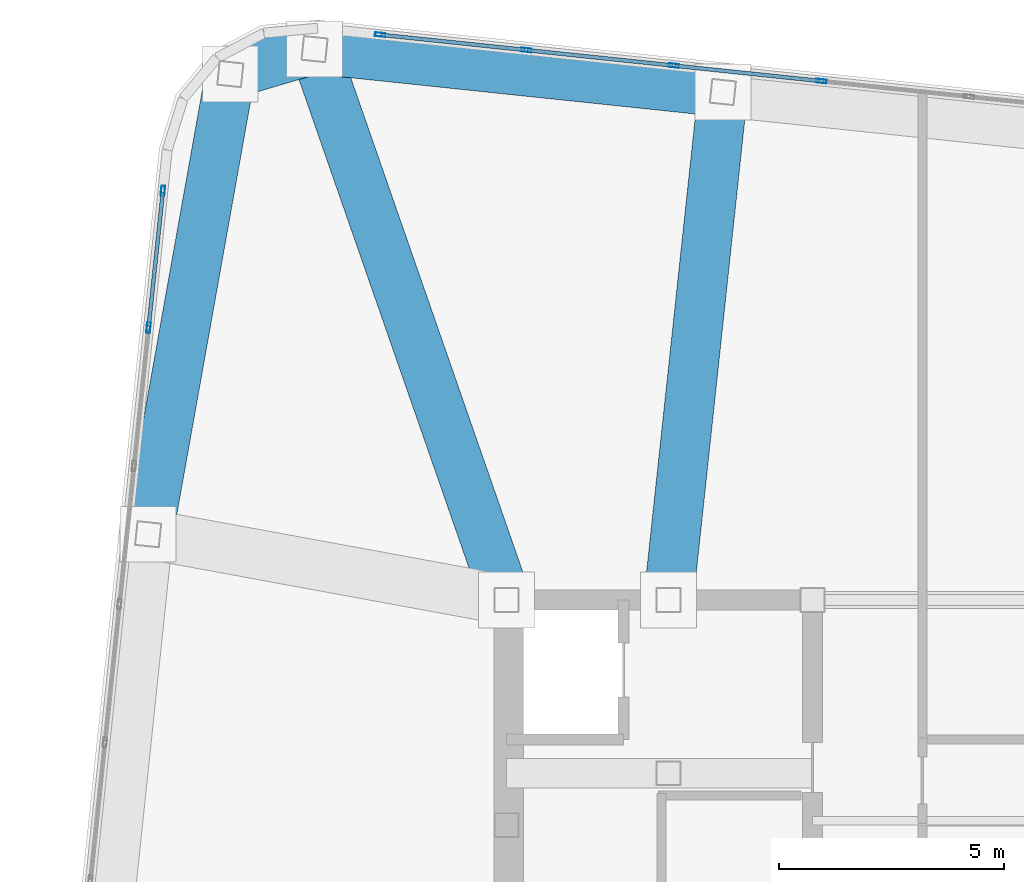
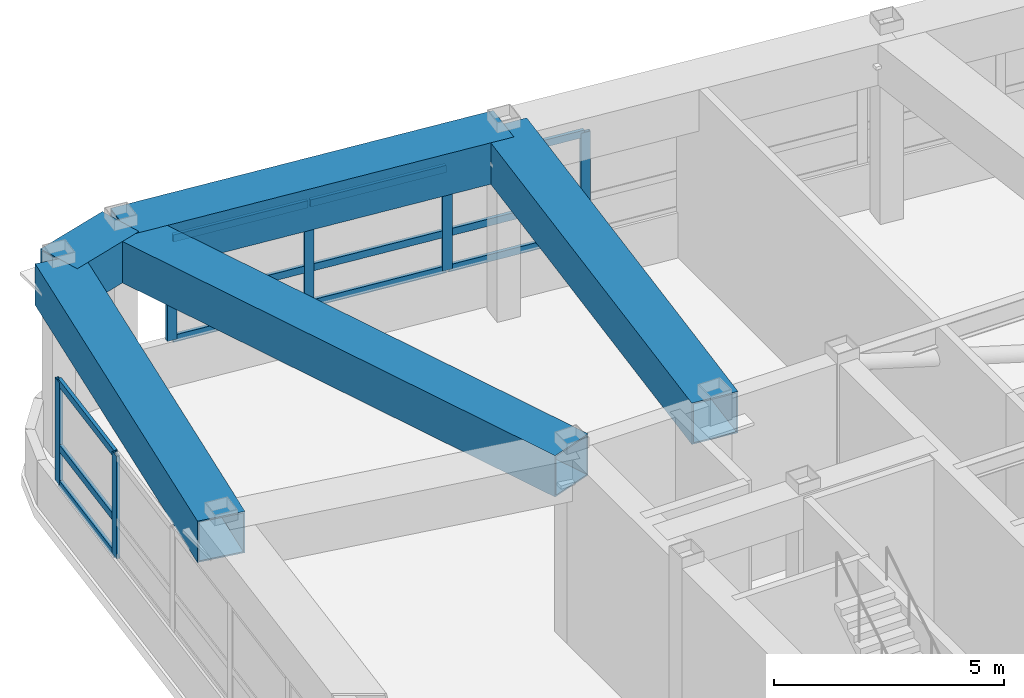
# One storey, part 14 of 23: 18 members, 5 beams, 2 elements without a shape of their own.
"""IFC4 building model written with IfcOpenShell, lengths in metres."""

from ifc_helpers import new_model, si_unit, direction, frame, origin, origin_2d, place, context, subcontext, project, spatial, hollow_rectangle, extrude, material, layer, layer_set, material_profile, profile_set, type_object, element, aggregate, save


model = new_model("IFC4")

# Units and contexts
model_context = context("Model", 3, precision=1e-05, world=origin(), true_north=direction((0.0, 1.0)))
body_context = subcontext(model_context, "Body", "Model", "MODEL_VIEW")
ifc_project = project(units=[si_unit("LENGTHUNIT", "METRE"), si_unit("AREAUNIT", "SQUARE_METRE"), si_unit("VOLUMEUNIT", "CUBIC_METRE"), si_unit("PLANEANGLEUNIT", "RADIAN"), si_unit("MASSUNIT", "GRAM", prefix="KILO")], contexts=[model_context])

# Site, building, storey
site_placement = place(None, origin())
site = spatial("IfcSite", under=ifc_project, at=site_placement, CompositionType="ELEMENT")
building_placement = place(site_placement, origin())
building = spatial("IfcBuilding", under=site, at=building_placement, Name="Voryun Gate Residences", CompositionType="ELEMENT")
storey_placement = place(building_placement, frame((0.0, 0.0, 316.0)))
storey = spatial("IfcBuildingStorey", under=building, at=storey_placement, Name="L78", CompositionType="ELEMENT", Elevation=316.0)

# Beams
ifc_material_1 = material(Name="Steel SM420", Category="steel")
ifc_material_profile_1 = material_profile(ifc_material_1, hollow_rectangle(XDim=1.10009765625, YDim=1.10009765625, WallThickness=0.035888671875, at=origin_2d()), Name="BOX-1100x1100x36")
ifc_profile_set_1 = profile_set([ifc_material_profile_1], Name="Steel SM420")
beam_type = type_object("IfcBeamType", Name="BM_ARCH_RIB", PredefinedType="USERDEFINED", material=ifc_profile_set_1)
beam_1_placement = place(storey_placement, frame((-14.3916015625, 18.684814453125, 4.47509765625), z_axis=(-0.994520844313, 0.104538462908, 0.0), x_axis=(-0.104538462908, -0.994520844313, 0.0)))
element("IfcBeam", 1, at=beam_1_placement, inside=storey, type_object=beam_type, Name="BM-L78-SPAND-15", ObjectType="GIRDER", PredefinedType="USERDEFINED", context=body_context, shape_type="SweptSolid", body=[
    extrude(hollow_rectangle(XDim=1.10009765625, YDim=1.10009765625, WallThickness=0.035888671875, at=origin_2d()), origin(), (0.0, 0.0, 1.0), 9.119873046875),
])
beam_2_placement = place(storey_placement, frame((-23.46142578125, 19.63818359375, 4.47509765625), z_axis=(-0.958835963288, -0.283960552728, 0.0), x_axis=(0.283960552728, -0.958835963288, 0.0)))
element("IfcBeam", 2, at=beam_2_placement, inside=storey, type_object=beam_type, Name="BM-L78-SPAND-16", ObjectType="GIRDER", PredefinedType="USERDEFINED", context=body_context, shape_type="SweptSolid", body=[
    extrude(hollow_rectangle(XDim=1.10009765625, YDim=1.10009765625, WallThickness=0.035888671875, at=origin_2d()), origin(), (0.0, 0.0, 1.0), 1.95166015625),
])
beam_3_placement = place(storey_placement, frame((-25.332763671875, 19.083984375, 4.47509765625), z_axis=(-0.175791452213, -0.984427430199, 0.0), x_axis=(0.984427430199, -0.175791452213, 0.0)))
element("IfcBeam", 3, at=beam_3_placement, inside=storey, type_object=beam_type, Name="BM-L78-SPAND-17", ObjectType="GIRDER", PredefinedType="USERDEFINED", context=body_context, shape_type="SweptSolid", body=[
    extrude(hollow_rectangle(XDim=1.10009765625, YDim=1.10009765625, WallThickness=0.035888671875, at=origin_2d()), origin(), (0.0, 0.0, 1.0), 10.384033203125),
])
beam_4_placement = place(storey_placement, frame((-15.60009765625, 7.39990234375, 4.47509765625), z_axis=(0.106480715232, 0.994314767709, 0.0), x_axis=(-0.994314767709, 0.106480715232, 0.0)))
element("IfcBeam", 4, at=beam_4_placement, inside=storey, type_object=beam_type, Name="BM-L78-RAD-N5", ObjectType="GIRDER", PredefinedType="USERDEFINED", context=body_context, shape_type="SweptSolid", body=[
    extrude(hollow_rectangle(XDim=1.10009765625, YDim=1.10009765625, WallThickness=0.035888671875, at=origin_2d()), origin(), (0.0, 0.0, 1.0), 11.349365234375),
])
beam_5_placement = place(storey_placement, frame((-19.199951171875, 7.39990234375, 4.47509765625), z_axis=(-0.328842846436, 0.944384658043, 0.0), x_axis=(-0.944384658043, -0.328842846436, 0.0)))
element("IfcBeam", 5, at=beam_5_placement, inside=storey, type_object=beam_type, Name="BM-L78-RAD-N6", ObjectType="GIRDER", PredefinedType="USERDEFINED", context=body_context, shape_type="SweptSolid", body=[
    extrude(hollow_rectangle(XDim=1.10009765625, YDim=1.10009765625, WallThickness=0.035888671875, at=origin_2d()), origin(), (0.0, 0.0, 1.0), 12.958984375),
])

# Curtain wall, members
ifc_material_2 = material(Name="Anodised aluminium", Category="aluminium")
ifc_layer = layer(ifc_material_2, 0.22998046875, Name="CW_SYS_LANTERN_DARK_GLASS")
ifc_layer_set = layer_set([ifc_layer], Name="Anodised aluminium")
curtain_wall_type = type_object("IfcCurtainWallType", Name="CW_SYS_LANTERN_DARK_GLASS", PredefinedType="NOTDEFINED", material=ifc_layer_set)
curtain_wall_1_placement = place(storey_placement, origin())
curtain_wall_1 = element("IfcCurtainWall", 6, at=curtain_wall_1_placement, inside=storey, type_object=curtain_wall_type, Name="Curtain wall CW6-L78-06", PredefinedType="NOTDEFINED")
ifc_material_3 = material(Name="Anodised aluminium", Category="aluminium")
ifc_material_profile_2 = material_profile(ifc_material_3, hollow_rectangle(XDim=0.0849609375, YDim=0.22998046875, WallThickness=0.006103515625, at=origin_2d()), Name="ALU-MULL-230x85x6")
ifc_profile_set_2 = profile_set([ifc_material_profile_2], Name="Anodised aluminium")
member_type_1 = type_object("IfcMemberType", Name="CW_MULL_LANT", PredefinedType="MULLION", material=ifc_profile_set_2)
member_1_placement = place(storey_placement, frame((-27.14892578125, 13.447265625, 1.18994140625), z_axis=(0.0, 0.0, 1.0), x_axis=(-0.994521943608, 0.104528004296, 0.0)))
member_1 = element("IfcMember", 7, at=member_1_placement, type_object=member_type_1, Name="CW6 mullion 9", PredefinedType="MULLION", context=body_context, shape_type="SweptSolid", body=[
    extrude(hollow_rectangle(XDim=0.0849609375, YDim=0.22998046875, WallThickness=0.006103515625, at=origin_2d()), origin(), (0.0, 0.0, 1.0), 2.72509765625),
])
member_2_placement = place(storey_placement, frame((-26.829345703125, 16.48828125, 1.18994140625), z_axis=(0.0, 0.0, 1.0), x_axis=(-0.994521943608, 0.104528004296, 0.0)))
member_2 = element("IfcMember", 8, at=member_2_placement, type_object=member_type_1, Name="CW6 mullion 10", PredefinedType="MULLION", context=body_context, shape_type="SweptSolid", body=[
    extrude(hollow_rectangle(XDim=0.0849609375, YDim=0.22998046875, WallThickness=0.006103515625, at=origin_2d()), origin(), (0.0, 0.0, 1.0), 2.72509765625),
])

curtain_wall_2_placement = place(storey_placement, origin())
curtain_wall_2 = element("IfcCurtainWall", 9, at=curtain_wall_2_placement, inside=storey, type_object=curtain_wall_type, Name="Curtain wall CW6-L78-11", PredefinedType="NOTDEFINED")
member_3_placement = place(storey_placement, frame((-22.005615234375, 19.957763671875, 1.18994140625), z_axis=(0.0, 0.0, 1.0), x_axis=(0.10452775858, 0.994521969434, 0.0)))
member_3 = element("IfcMember", 10, at=member_3_placement, type_object=member_type_1, Name="CW6 mullion 1", PredefinedType="MULLION", context=body_context, shape_type="SweptSolid", body=[
    extrude(hollow_rectangle(XDim=0.0849609375, YDim=0.22998046875, WallThickness=0.006103515625, at=origin_2d()), origin(), (0.0, 0.0, 1.0), 2.72509765625),
])
member_4_placement = place(storey_placement, frame((-18.7587890625, 19.616455078125, 1.18994140625), z_axis=(0.0, 0.0, 1.0), x_axis=(0.10452775858, 0.994521969434, 0.0)))
member_4 = element("IfcMember", 11, at=member_4_placement, type_object=member_type_1, Name="CW6 mullion 2", PredefinedType="MULLION", context=body_context, shape_type="SweptSolid", body=[
    extrude(hollow_rectangle(XDim=0.0849609375, YDim=0.22998046875, WallThickness=0.006103515625, at=origin_2d()), origin(), (0.0, 0.0, 1.0), 2.72509765625),
])
member_5_placement = place(storey_placement, frame((-15.482177734375, 19.272216796875, 1.18994140625), z_axis=(0.0, 0.0, 1.0), x_axis=(0.10452775858, 0.994521969434, 0.0)))
member_5 = element("IfcMember", 12, at=member_5_placement, type_object=member_type_1, Name="CW6 mullion 3", PredefinedType="MULLION", context=body_context, shape_type="SweptSolid", body=[
    extrude(hollow_rectangle(XDim=0.0849609375, YDim=0.22998046875, WallThickness=0.006103515625, at=origin_2d()), origin(), (0.0, 0.0, 1.0), 2.72509765625),
])
member_6_placement = place(storey_placement, frame((-12.20556640625, 18.927734375, 1.18994140625), z_axis=(0.0, 0.0, 1.0), x_axis=(0.10452775858, 0.994521969434, 0.0)))
member_6 = element("IfcMember", 13, at=member_6_placement, type_object=member_type_1, Name="CW6 mullion 4", PredefinedType="MULLION", context=body_context, shape_type="SweptSolid", body=[
    extrude(hollow_rectangle(XDim=0.0849609375, YDim=0.22998046875, WallThickness=0.006103515625, at=origin_2d()), origin(), (0.0, 0.0, 1.0), 2.72509765625),
])

# Member
ifc_material_4 = material(Name="Anodised aluminium", Category="aluminium")
ifc_material_profile_3 = material_profile(ifc_material_4, hollow_rectangle(XDim=0.0849609375, YDim=0.18994140625, WallThickness=0.006103515625, at=origin_2d()), Name="ALU-TRAN-190x85x6")
ifc_profile_set_3 = profile_set([ifc_material_profile_3], Name="Anodised aluminium")
member_type_2 = type_object("IfcMemberType", Name="CW_TRAN_LANT", PredefinedType="USERDEFINED", material=ifc_profile_set_3)
member_7_placement = place(storey_placement, frame((-27.145751953125, 13.47705078125, 1.219970703125), z_axis=(0.104566085446, 0.994517940398, 0.0), x_axis=(-0.994517940398, 0.104566085446, 0.0)))
member_7 = element("IfcMember", 14, at=member_7_placement, type_object=member_type_2, Name="CW6 transom 9.1", ObjectType="TRANSOM", PredefinedType="USERDEFINED", context=body_context, shape_type="SweptSolid", body=[
    extrude(hollow_rectangle(XDim=0.0849609375, YDim=0.18994140625, WallThickness=0.006103515625, at=origin_2d()), origin(), (0.0, 0.0, 1.0), 2.997802734375),
])

member_8_placement = place(storey_placement, frame((-27.145751953125, 13.47705078125, 2.1708984375), z_axis=(0.104566085446, 0.994517940398, 0.0), x_axis=(-0.994517940398, 0.104566085446, 0.0)))
member_8 = element("IfcMember", 15, at=member_8_placement, type_object=member_type_2, Name="CW6 transom 9.2", ObjectType="TRANSOM", PredefinedType="USERDEFINED", context=body_context, shape_type="SweptSolid", body=[
    extrude(hollow_rectangle(XDim=0.0849609375, YDim=0.18994140625, WallThickness=0.006103515625, at=origin_2d()), origin(), (0.0, 0.0, 1.0), 2.997802734375),
])

member_9_placement = place(storey_placement, frame((-27.145751953125, 13.47705078125, 3.885009765625), z_axis=(0.104566085446, 0.994517940398, 0.0), x_axis=(-0.994517940398, 0.104566085446, 0.0)))
member_9 = element("IfcMember", 16, at=member_9_placement, type_object=member_type_2, Name="CW6 transom 9.3", ObjectType="TRANSOM", PredefinedType="USERDEFINED", context=body_context, shape_type="SweptSolid", body=[
    extrude(hollow_rectangle(XDim=0.0849609375, YDim=0.18994140625, WallThickness=0.006103515625, at=origin_2d()), origin(), (0.0, 0.0, 1.0), 2.997802734375),
])

aggregate(curtain_wall_1, [member_1, member_2, member_7, member_8, member_9])

member_10_placement = place(storey_placement, frame((-21.975830078125, 19.95458984375, 1.219970703125), z_axis=(0.994522970689, -0.104518231772, 0.0), x_axis=(0.104518231772, 0.994522970689, 0.0)))
member_10 = element("IfcMember", 17, at=member_10_placement, type_object=member_type_2, Name="CW6 transom 1.1", ObjectType="TRANSOM", PredefinedType="USERDEFINED", context=body_context, shape_type="SweptSolid", body=[
    extrude(hollow_rectangle(XDim=0.0849609375, YDim=0.18994140625, WallThickness=0.006103515625, at=origin_2d()), origin(), (0.0, 0.0, 1.0), 3.204833984375),
])

member_11_placement = place(storey_placement, frame((-21.975830078125, 19.95458984375, 2.1708984375), z_axis=(0.994522970689, -0.104518231772, 0.0), x_axis=(0.104518231772, 0.994522970689, 0.0)))
member_11 = element("IfcMember", 18, at=member_11_placement, type_object=member_type_2, Name="CW6 transom 1.2", ObjectType="TRANSOM", PredefinedType="USERDEFINED", context=body_context, shape_type="SweptSolid", body=[
    extrude(hollow_rectangle(XDim=0.0849609375, YDim=0.18994140625, WallThickness=0.006103515625, at=origin_2d()), origin(), (0.0, 0.0, 1.0), 3.204833984375),
])

member_12_placement = place(storey_placement, frame((-21.975830078125, 19.95458984375, 3.885009765625), z_axis=(0.994522970689, -0.104518231772, 0.0), x_axis=(0.104518231772, 0.994522970689, 0.0)))
member_12 = element("IfcMember", 19, at=member_12_placement, type_object=member_type_2, Name="CW6 transom 1.3", ObjectType="TRANSOM", PredefinedType="USERDEFINED", context=body_context, shape_type="SweptSolid", body=[
    extrude(hollow_rectangle(XDim=0.0849609375, YDim=0.18994140625, WallThickness=0.006103515625, at=origin_2d()), origin(), (0.0, 0.0, 1.0), 3.204833984375),
])

member_13_placement = place(storey_placement, frame((-18.72900390625, 19.61328125, 1.219970703125), z_axis=(0.994521569819, -0.104531560613, 0.0), x_axis=(0.104531560613, 0.994521569819, 0.0)))
member_13 = element("IfcMember", 20, at=member_13_placement, type_object=member_type_2, Name="CW6 transom 2.1", ObjectType="TRANSOM", PredefinedType="USERDEFINED", context=body_context, shape_type="SweptSolid", body=[
    extrude(hollow_rectangle(XDim=0.0849609375, YDim=0.18994140625, WallThickness=0.006103515625, at=origin_2d()), origin(), (0.0, 0.0, 1.0), 3.23486328125),
])

member_14_placement = place(storey_placement, frame((-18.72900390625, 19.61328125, 2.1708984375), z_axis=(0.994521569819, -0.104531560613, 0.0), x_axis=(0.104531560613, 0.994521569819, 0.0)))
member_14 = element("IfcMember", 21, at=member_14_placement, type_object=member_type_2, Name="CW6 transom 2.2", ObjectType="TRANSOM", PredefinedType="USERDEFINED", context=body_context, shape_type="SweptSolid", body=[
    extrude(hollow_rectangle(XDim=0.0849609375, YDim=0.18994140625, WallThickness=0.006103515625, at=origin_2d()), origin(), (0.0, 0.0, 1.0), 3.23486328125),
])

member_15_placement = place(storey_placement, frame((-18.72900390625, 19.61328125, 3.885009765625), z_axis=(0.994521569819, -0.104531560613, 0.0), x_axis=(0.104531560613, 0.994521569819, 0.0)))
member_15 = element("IfcMember", 22, at=member_15_placement, type_object=member_type_2, Name="CW6 transom 2.3", ObjectType="TRANSOM", PredefinedType="USERDEFINED", context=body_context, shape_type="SweptSolid", body=[
    extrude(hollow_rectangle(XDim=0.0849609375, YDim=0.18994140625, WallThickness=0.006103515625, at=origin_2d()), origin(), (0.0, 0.0, 1.0), 3.23486328125),
])

member_16_placement = place(storey_placement, frame((-15.452392578125, 19.26904296875, 1.219970703125), z_axis=(0.994521569819, -0.104531560613, 0.0), x_axis=(0.104531560613, 0.994521569819, 0.0)))
member_16 = element("IfcMember", 23, at=member_16_placement, type_object=member_type_2, Name="CW6 transom 3.1", ObjectType="TRANSOM", PredefinedType="USERDEFINED", context=body_context, shape_type="SweptSolid", body=[
    extrude(hollow_rectangle(XDim=0.0849609375, YDim=0.18994140625, WallThickness=0.006103515625, at=origin_2d()), origin(), (0.0, 0.0, 1.0), 3.23486328125),
])

member_17_placement = place(storey_placement, frame((-15.452392578125, 19.26904296875, 2.1708984375), z_axis=(0.994521569819, -0.104531560613, 0.0), x_axis=(0.104531560613, 0.994521569819, 0.0)))
member_17 = element("IfcMember", 24, at=member_17_placement, type_object=member_type_2, Name="CW6 transom 3.2", ObjectType="TRANSOM", PredefinedType="USERDEFINED", context=body_context, shape_type="SweptSolid", body=[
    extrude(hollow_rectangle(XDim=0.0849609375, YDim=0.18994140625, WallThickness=0.006103515625, at=origin_2d()), origin(), (0.0, 0.0, 1.0), 3.23486328125),
])

member_18_placement = place(storey_placement, frame((-15.452392578125, 19.26904296875, 3.885009765625), z_axis=(0.994521569819, -0.104531560613, 0.0), x_axis=(0.104531560613, 0.994521569819, 0.0)))
member_18 = element("IfcMember", 25, at=member_18_placement, type_object=member_type_2, Name="CW6 transom 3.3", ObjectType="TRANSOM", PredefinedType="USERDEFINED", context=body_context, shape_type="SweptSolid", body=[
    extrude(hollow_rectangle(XDim=0.0849609375, YDim=0.18994140625, WallThickness=0.006103515625, at=origin_2d()), origin(), (0.0, 0.0, 1.0), 3.23486328125),
])

aggregate(curtain_wall_2, [member_3, member_4, member_5, member_6, member_10, member_11, member_12, member_13, member_14, member_15, member_16, member_17, member_18])

save(model, "model.ifc")
